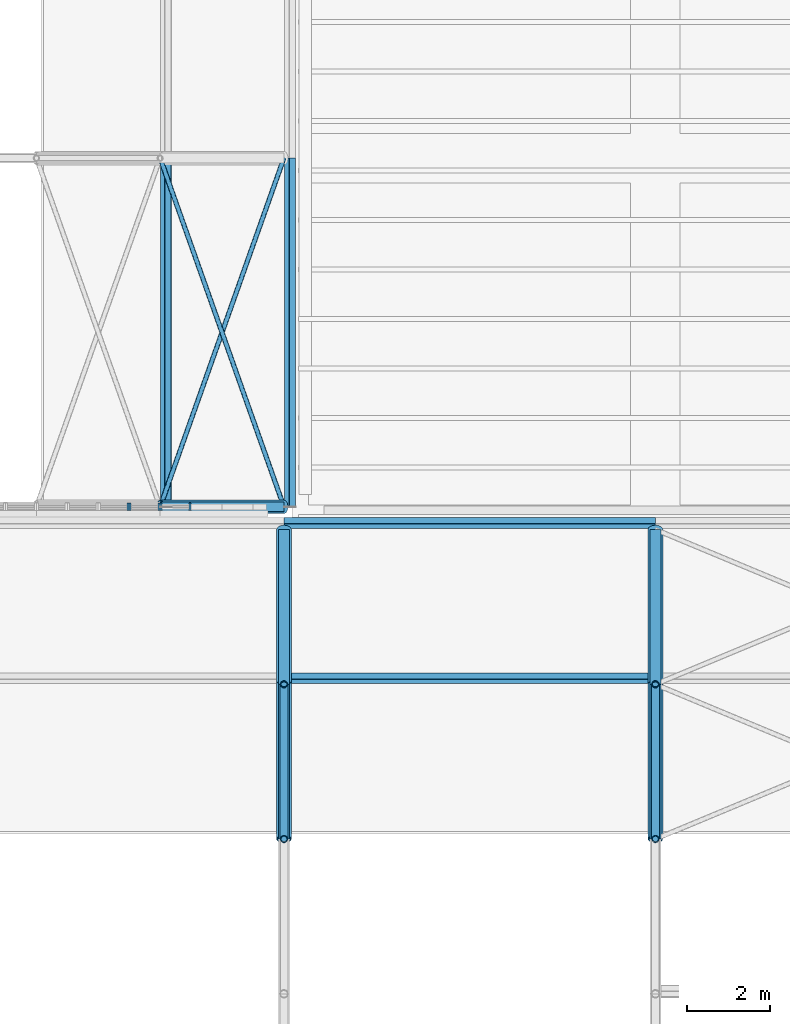
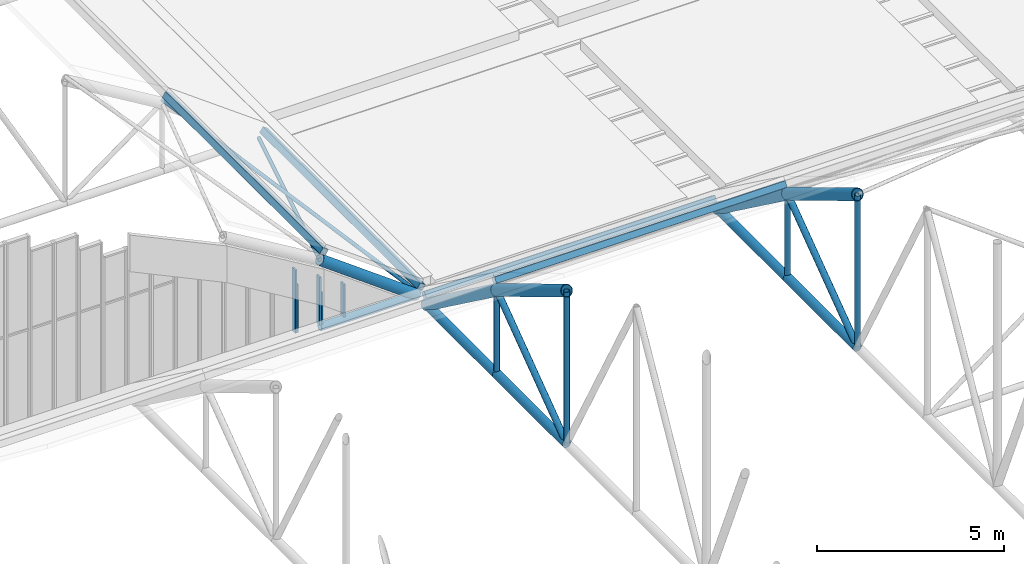
# One storey, part 75 of 153: 27 members, 3 elements without a shape of their own.
"""IFC4 building model written with IfcOpenShell, lengths in metres."""

from ifc_helpers import new_model, si_unit, direction, frame, origin, origin_2d, place, context, subcontext, project, spatial, rectangle, hollow_rectangle, hollow_circle, extrude, material, material_profile, profile_set, type_object, element, aggregate, save


model = new_model("IFC4")

# Units and contexts
model_context = context("Model", 3, precision=1e-05, world=origin(), true_north=direction((0.0, 1.0)))
body_context = subcontext(model_context, "Body", "Model", "MODEL_VIEW")
ifc_project = project(units=[si_unit("LENGTHUNIT", "METRE"), si_unit("AREAUNIT", "SQUARE_METRE"), si_unit("VOLUMEUNIT", "CUBIC_METRE"), si_unit("PLANEANGLEUNIT", "RADIAN"), si_unit("MASSUNIT", "GRAM", prefix="KILO")], contexts=[model_context])

# Site, building, storey
site_placement = place(None, origin())
site = spatial("IfcSite", under=ifc_project, at=site_placement, CompositionType="ELEMENT")
building_placement = place(site_placement, origin())
building = spatial("IfcBuilding", under=site, at=building_placement, Name="Baradari Gate Terminus", CompositionType="ELEMENT")
storey_placement = place(building_placement, frame((0.0, 0.0, 11.699951171875)))
storey = spatial("IfcBuildingStorey", under=building, at=storey_placement, Name="L02", CompositionType="ELEMENT", Elevation=11.699951171875)

# Curtain wall, member
ifc_material_1 = material(Name="Aluminium 6063-T6", Category="aluminium")
curtain_wall_type = type_object("IfcCurtainWallType", Name="Curtain wall CW-60 hall gable glazing", PredefinedType="NOTDEFINED", material=ifc_material_1)
curtain_wall_1_placement = place(storey_placement, origin())
curtain_wall_1 = element("IfcCurtainWall", 1, at=curtain_wall_1_placement, inside=storey, type_object=curtain_wall_type, Name="Hall gable glazing S43", PredefinedType="NOTDEFINED")
ifc_material_2 = material(Name="Aluminium 6063-T6", Category="aluminium")
ifc_material_profile_1 = material_profile(ifc_material_2, rectangle(XDim=0.175048828125, YDim=0.050048828125, at=origin_2d()), Name="CM-60 50X175")
ifc_profile_set_1 = profile_set([ifc_material_profile_1], Name="Aluminium 6063-T6")
member_type_1 = type_object("IfcMemberType", Name="Curtain wall mullion CM-60 50x175", PredefinedType="MULLION", material=ifc_profile_set_1)
member_1_placement = place(storey_placement, frame((167.22509765625, 81.550048828125, 0.234619140625), z_axis=(0.0, 0.0, 1.0), x_axis=(0.0, 1.0, 0.0)))
member_1 = element("IfcMember", 2, at=member_1_placement, type_object=member_type_1, Name="CW-60 mullion 2", PredefinedType="MULLION", context=body_context, shape_type="SweptSolid", body=[
    extrude(rectangle(XDim=0.175048828125, YDim=0.050048828125, at=origin_2d()), origin(), (0.0, 0.0, 1.0), 2.0654296875),
])
aggregate(curtain_wall_1, [member_1])

# Curtain wall, members
curtain_wall_2_placement = place(storey_placement, origin())
curtain_wall_2 = element("IfcCurtainWall", 3, at=curtain_wall_2_placement, inside=storey, type_object=curtain_wall_type, Name="Hall gable glazing S44", PredefinedType="NOTDEFINED")
member_2_placement = place(storey_placement, frame((167.27490234375, 81.550048828125, 0.234619140625), z_axis=(0.0, 0.0, 1.0), x_axis=(0.0, 1.0, 0.0)))
member_2 = element("IfcMember", 4, at=member_2_placement, type_object=member_type_1, Name="CW-60 mullion 1", PredefinedType="MULLION", context=body_context, shape_type="SweptSolid", body=[
    extrude(rectangle(XDim=0.175048828125, YDim=0.050048828125, at=origin_2d()), origin(), (0.0, 0.0, 1.0), 1.5654296875),
])
member_3_placement = place(storey_placement, frame((167.97509765625, 81.550048828125, 0.234619140625), z_axis=(0.0, 0.0, 1.0), x_axis=(0.0, 1.0, 0.0)))
member_3 = element("IfcMember", 5, at=member_3_placement, type_object=member_type_1, Name="CW-60 mullion 2", PredefinedType="MULLION", context=body_context, shape_type="SweptSolid", body=[
    extrude(rectangle(XDim=0.175048828125, YDim=0.050048828125, at=origin_2d()), origin(), (0.0, 0.0, 1.0), 1.5654296875),
])
aggregate(curtain_wall_2, [member_2, member_3])

curtain_wall_3_placement = place(storey_placement, origin())
curtain_wall_3 = element("IfcCurtainWall", 6, at=curtain_wall_3_placement, inside=storey, type_object=curtain_wall_type, Name="Hall gable glazing S45", PredefinedType="NOTDEFINED")
member_4_placement = place(storey_placement, frame((168.02490234375, 81.550048828125, 0.234619140625), z_axis=(0.0, 0.0, 1.0), x_axis=(0.0, 1.0, 0.0)))
member_4 = element("IfcMember", 7, at=member_4_placement, type_object=member_type_1, Name="CW-60 mullion 1", PredefinedType="MULLION", context=body_context, shape_type="SweptSolid", body=[
    extrude(rectangle(XDim=0.175048828125, YDim=0.050048828125, at=origin_2d()), origin(), (0.0, 0.0, 1.0), 1.0654296875),
])
member_5_placement = place(storey_placement, frame((168.72509765625, 81.550048828125, 0.234619140625), z_axis=(0.0, 0.0, 1.0), x_axis=(0.0, 1.0, 0.0)))
member_5 = element("IfcMember", 8, at=member_5_placement, type_object=member_type_1, Name="CW-60 mullion 2", PredefinedType="MULLION", context=body_context, shape_type="SweptSolid", body=[
    extrude(rectangle(XDim=0.175048828125, YDim=0.050048828125, at=origin_2d()), origin(), (0.0, 0.0, 1.0), 1.0654296875),
])
aggregate(curtain_wall_3, [member_4, member_5])

# Members
ifc_material_3 = material(Name="Steel S355", Category="steel")
ifc_material_profile_2 = material_profile(ifc_material_3, hollow_circle(Radius=0.122314453125, WallThickness=0.010009765625, at=origin_2d()), Name="CHS 244.5x10")
ifc_profile_set_2 = profile_set([ifc_material_profile_2], Name="Steel S355")
member_type_2 = type_object("IfcMemberType", Name="Hall vault tie CHS 244.5x10", PredefinedType="CHORD", material=ifc_profile_set_2)
member_6_placement = place(storey_placement, frame((168.0, 81.550048828125, 0.122314453125), z_axis=(1.0, 0.0, 0.0), x_axis=(0.0, 1.0, 0.0)))
element("IfcMember", 9, at=member_6_placement, inside=storey, type_object=member_type_2, Name="TR/L02/VT1-BC11", PredefinedType="CHORD", context=body_context, shape_type="SweptSolid", body=[
    extrude(hollow_circle(Radius=0.122314453125, WallThickness=0.010009765625, at=origin_2d()), origin(), (0.0, 0.0, 1.0), 3.0),
])
ifc_material_4 = material(Name="Steel S355", Category="steel")
ifc_material_profile_3 = material_profile(ifc_material_4, hollow_circle(Radius=0.161865234375, WallThickness=0.012451171875, at=origin_2d()), Name="CHS 323.9x12.5")
ifc_profile_set_3 = profile_set([ifc_material_profile_3], Name="Steel S355")
member_type_3 = type_object("IfcMemberType", Name="Hall vault top chord CHS 323.9x12.5", PredefinedType="CHORD", material=ifc_profile_set_3)
member_7_placement = place(storey_placement, frame((168.0, 81.550048828125, 2.322265625), z_axis=(0.80641125493, 0.0, -0.591355128432), x_axis=(0.0, 1.0, 0.0)))
element("IfcMember", 10, at=member_7_placement, inside=storey, type_object=member_type_3, Name="TR/L02/VT1-TC11", PredefinedType="CHORD", context=body_context, shape_type="SweptSolid", body=[
    extrude(hollow_circle(Radius=0.161865234375, WallThickness=0.012451171875, at=origin_2d()), origin(), (0.0, 0.0, 1.0), 3.72021484375),
])
ifc_material_5 = material(Name="Steel S355", Category="steel")
ifc_material_profile_4 = material_profile(ifc_material_5, hollow_circle(Radius=0.136474609375, WallThickness=0.012451171875, at=origin_2d()), Name="CHS 273x12.5")
ifc_profile_set_4 = profile_set([ifc_material_profile_4], Name="Steel S355")
member_type_4 = type_object("IfcMemberType", Name="Shed bottom chord CHS 273x12.5", PredefinedType="CHORD", material=ifc_profile_set_4)
for number, where, z_axis, x_axis, name in (
    (11, (171.0, 73.5, 0.136474609375), (0.0, 1.0, 0.0), (-1.0, 0.0, 0.0), "TR/L02/S171-BC10"),
    (12, (171.0, 77.25, 0.136474609375), (0.0, 1.0, 0.0), (-1.0, 0.0, 0.0), "TR/L02/S171-BC11"),
    (13, (180.0, 73.5, 0.136474609375), (0.0, 1.0, 0.0), (-1.0, 0.0, 0.0), "TR/L02/S180-BC10"),
    (14, (180.0, 77.25, 0.136474609375), (0.0, 1.0, 0.0), (-1.0, 0.0, 0.0), "TR/L02/S180-BC11"),
):
    element("IfcMember", number, at=place(storey_placement, frame(where, z_axis=z_axis, x_axis=x_axis)), inside=storey, type_object=member_type_4, Name=name, PredefinedType="CHORD", context=body_context, shape_type="SweptSolid", body=[
        extrude(hollow_circle(Radius=0.136474609375, WallThickness=0.012451171875, at=origin_2d()), origin(), (0.0, 0.0, 1.0), 3.75),
    ])
ifc_material_6 = material(Name="Steel S355", Category="steel")
ifc_material_profile_5 = material_profile(ifc_material_6, hollow_rectangle(XDim=0.199951171875, YDim=0.199951171875, WallThickness=0.008056640625, InnerFilletRadius=0.008056640625, OuterFilletRadius=0.01611328125, at=origin_2d()), Name="SHS 200x200x8")
ifc_profile_set_5 = profile_set([ifc_material_profile_5], Name="Steel S355")
member_type_5 = type_object("IfcMemberType", Name="Shed purlin SHS 200x200x8", PredefinedType="PURLIN", material=ifc_profile_set_5)
for number, where, z_axis, x_axis, name in (
    (15, (171.0, 77.397216796875, 3.10791015625), (1.0, 0.0, 0.0), (0.0, 0.832836263724, -0.55351942859), "TR/L02/B180-PU11"),
    (16, (171.0, 81.1572265625, 0.350830078125), (1.0, 0.0, 0.0), (0.0, 0.80640499586, -0.591363663621), "TR/L02/B180-PU12"),
):
    element("IfcMember", number, at=place(storey_placement, frame(where, z_axis=z_axis, x_axis=x_axis)), inside=storey, type_object=member_type_5, Name=name, PredefinedType="PURLIN", context=body_context, shape_type="SweptSolid", body=[
        extrude(hollow_rectangle(XDim=0.199951171875, YDim=0.199951171875, WallThickness=0.008056640625, InnerFilletRadius=0.008056640625, OuterFilletRadius=0.01611328125, at=origin_2d()), origin(), (0.0, 0.0, 1.0), 9.0),
    ])
for number, where, z_axis, x_axis, name in (
    (17, (168.138427734375, 81.550048828125, 2.530517578125), (0.0, 1.0, 0.0), (-0.832836263724, 0.0, 0.55351942859), "TR/L02/VP1-PU11"),
    (18, (171.147705078125, 81.550048828125, 0.323974609375), (0.0, 1.0, 0.0), (-0.80640499586, 0.0, 0.591363663621), "TR/L02/VP1-PU12"),
):
    element("IfcMember", number, at=place(storey_placement, frame(where, z_axis=z_axis, x_axis=x_axis)), inside=storey, type_object=member_type_5, Name=name, PredefinedType="PURLIN", context=body_context, shape_type="SweptSolid", body=[
        extrude(hollow_rectangle(XDim=0.199951171875, YDim=0.199951171875, WallThickness=0.008056640625, InnerFilletRadius=0.008056640625, OuterFilletRadius=0.01611328125, at=origin_2d()), origin(), (0.0, 0.0, 1.0), 8.449951171875),
    ])
ifc_material_7 = material(Name="Steel S355", Category="steel")
ifc_material_profile_6 = material_profile(ifc_material_7, hollow_circle(Radius=0.05712890625, WallThickness=0.00634765625, at=origin_2d()), Name="CHS 114.3x6.3")
ifc_profile_set_6 = profile_set([ifc_material_profile_6], Name="Steel S355")
member_type_6 = type_object("IfcMemberType", Name="Shed roof brace CHS 114.3x6.3", PredefinedType="BRACE", material=ifc_profile_set_6)
for number, where, z_axis, x_axis, name in (
    (19, (168.0, 81.550048828125, 2.322265625), (0.324934492429, 0.915226865026, -0.2382800058), (-0.942370433144, 0.334571317861, 0.0), "TR/L02/VPB1-RB11A"),
    (20, (171.0, 81.550048828125, 0.236572265625), (-0.324934492429, 0.915226865026, 0.2382800058), (-0.942370433144, -0.334571317861, 0.0), "TR/L02/VPB1-RB11B"),
):
    element("IfcMember", number, at=place(storey_placement, frame(where, z_axis=z_axis, x_axis=x_axis)), inside=storey, type_object=member_type_6, Name=name, PredefinedType="BRACE", context=body_context, shape_type="SweptSolid", body=[
        extrude(hollow_circle(Radius=0.05712890625, WallThickness=0.00634765625, at=origin_2d()), origin(), (0.0, 0.0, 1.0), 9.232666015625),
    ])
ifc_material_8 = material(Name="Steel S355", Category="steel")
ifc_material_profile_7 = material_profile(ifc_material_8, hollow_circle(Radius=0.177734375, WallThickness=0.01611328125, at=origin_2d()), Name="CHS 355.6x16")
ifc_profile_set_7 = profile_set([ifc_material_profile_7], Name="Steel S355")
member_type_7 = type_object("IfcMemberType", Name="Shed top chord CHS 355.6x16", PredefinedType="CHORD", material=ifc_profile_set_7)
member_8_placement = place(storey_placement, frame((171.0, 73.5, 5.136474609375), z_axis=(0.0, 0.857492925713, -0.514495755428), x_axis=(-1.0, 0.0, 0.0)))
element("IfcMember", 21, at=member_8_placement, inside=storey, type_object=member_type_7, Name="TR/L02/S171-TC10", PredefinedType="CHORD", context=body_context, shape_type="SweptSolid", body=[
    extrude(hollow_circle(Radius=0.177734375, WallThickness=0.01611328125, at=origin_2d()), origin(), (0.0, 0.0, 1.0), 4.373291015625),
])
member_9_placement = place(storey_placement, frame((171.0, 77.25, 2.886474609375), z_axis=(0.0, 0.806404995856, -0.591363663628), x_axis=(-1.0, 0.0, 0.0)))
element("IfcMember", 22, at=member_9_placement, inside=storey, type_object=member_type_7, Name="TR/L02/S171-TC11", PredefinedType="CHORD", context=body_context, shape_type="SweptSolid", body=[
    extrude(hollow_circle(Radius=0.177734375, WallThickness=0.01611328125, at=origin_2d()), origin(), (0.0, 0.0, 1.0), 4.650390625),
])
member_10_placement = place(storey_placement, frame((180.0, 73.5, 5.136474609375), z_axis=(0.0, 0.857492925713, -0.514495755428), x_axis=(-1.0, 0.0, 0.0)))
element("IfcMember", 23, at=member_10_placement, inside=storey, type_object=member_type_7, Name="TR/L02/S180-TC10", PredefinedType="CHORD", context=body_context, shape_type="SweptSolid", body=[
    extrude(hollow_circle(Radius=0.177734375, WallThickness=0.01611328125, at=origin_2d()), origin(), (0.0, 0.0, 1.0), 4.373291015625),
])
member_11_placement = place(storey_placement, frame((180.0, 77.25, 2.886474609375), z_axis=(0.0, 0.806404995856, -0.591363663628), x_axis=(-1.0, 0.0, 0.0)))
element("IfcMember", 24, at=member_11_placement, inside=storey, type_object=member_type_7, Name="TR/L02/S180-TC11", PredefinedType="CHORD", context=body_context, shape_type="SweptSolid", body=[
    extrude(hollow_circle(Radius=0.177734375, WallThickness=0.01611328125, at=origin_2d()), origin(), (0.0, 0.0, 1.0), 4.650390625),
])
ifc_material_9 = material(Name="Steel S355", Category="steel")
ifc_material_profile_8 = material_profile(ifc_material_9, hollow_circle(Radius=0.096923828125, WallThickness=0.008056640625, at=origin_2d()), Name="CHS 193.7x8")
ifc_profile_set_8 = profile_set([ifc_material_profile_8], Name="Steel S355")
member_type_8 = type_object("IfcMemberType", Name="Shed truss diagonal CHS 193.7x8", PredefinedType="BRACE", material=ifc_profile_set_8)
for number, where, z_axis, x_axis, name in (
    (25, (171.0, 77.25, 2.886474609375), (0.0, -0.806404995856, -0.591363663628), (1.0, 0.0, 0.0), "TR/L02/S171-SD10"),
    (26, (180.0, 77.25, 2.886474609375), (0.0, -0.806404995856, -0.591363663628), (1.0, 0.0, 0.0), "TR/L02/S180-SD10"),
):
    element("IfcMember", number, at=place(storey_placement, frame(where, z_axis=z_axis, x_axis=x_axis)), inside=storey, type_object=member_type_8, Name=name, PredefinedType="BRACE", context=body_context, shape_type="SweptSolid", body=[
        extrude(hollow_circle(Radius=0.096923828125, WallThickness=0.008056640625, at=origin_2d()), origin(), (0.0, 0.0, 1.0), 4.650390625),
    ])
ifc_material_10 = material(Name="Steel S355", Category="steel")
ifc_material_profile_9 = material_profile(ifc_material_10, hollow_circle(Radius=0.084228515625, WallThickness=0.008056640625, at=origin_2d()), Name="CHS 168.3x8")
ifc_profile_set_9 = profile_set([ifc_material_profile_9], Name="Steel S355")
member_type_9 = type_object("IfcMemberType", Name="Shed truss post CHS 168.3x8", PredefinedType="POST", material=ifc_profile_set_9)
member_12_placement = place(storey_placement, frame((171.0, 73.5, 0.136474609375), z_axis=(0.0, 0.0, 1.0), x_axis=(1.0, 0.0, 0.0)))
element("IfcMember", 27, at=member_12_placement, inside=storey, type_object=member_type_9, Name="TR/L02/S171-SP10", PredefinedType="POST", context=body_context, shape_type="SweptSolid", body=[
    extrude(hollow_circle(Radius=0.084228515625, WallThickness=0.008056640625, at=origin_2d()), origin(), (0.0, 0.0, 1.0), 5.0),
])
member_13_placement = place(storey_placement, frame((171.0, 77.25, 0.136474609375), z_axis=(0.0, 0.0, 1.0), x_axis=(1.0, 0.0, 0.0)))
element("IfcMember", 28, at=member_13_placement, inside=storey, type_object=member_type_9, Name="TR/L02/S171-SP11", PredefinedType="POST", context=body_context, shape_type="SweptSolid", body=[
    extrude(hollow_circle(Radius=0.084228515625, WallThickness=0.008056640625, at=origin_2d()), origin(), (0.0, 0.0, 1.0), 2.75),
])
member_14_placement = place(storey_placement, frame((180.0, 73.5, 0.136474609375), z_axis=(0.0, 0.0, 1.0), x_axis=(1.0, 0.0, 0.0)))
element("IfcMember", 29, at=member_14_placement, inside=storey, type_object=member_type_9, Name="TR/L02/S180-SP10", PredefinedType="POST", context=body_context, shape_type="SweptSolid", body=[
    extrude(hollow_circle(Radius=0.084228515625, WallThickness=0.008056640625, at=origin_2d()), origin(), (0.0, 0.0, 1.0), 5.0),
])
member_15_placement = place(storey_placement, frame((180.0, 77.25, 0.136474609375), z_axis=(0.0, 0.0, 1.0), x_axis=(1.0, 0.0, 0.0)))
element("IfcMember", 30, at=member_15_placement, inside=storey, type_object=member_type_9, Name="TR/L02/S180-SP11", PredefinedType="POST", context=body_context, shape_type="SweptSolid", body=[
    extrude(hollow_circle(Radius=0.084228515625, WallThickness=0.008056640625, at=origin_2d()), origin(), (0.0, 0.0, 1.0), 2.75),
])

save(model, "model.ifc")
